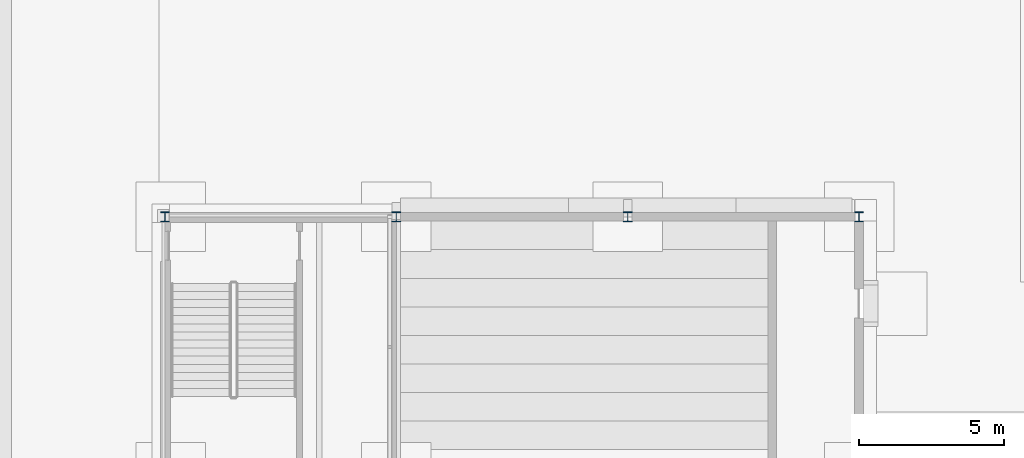
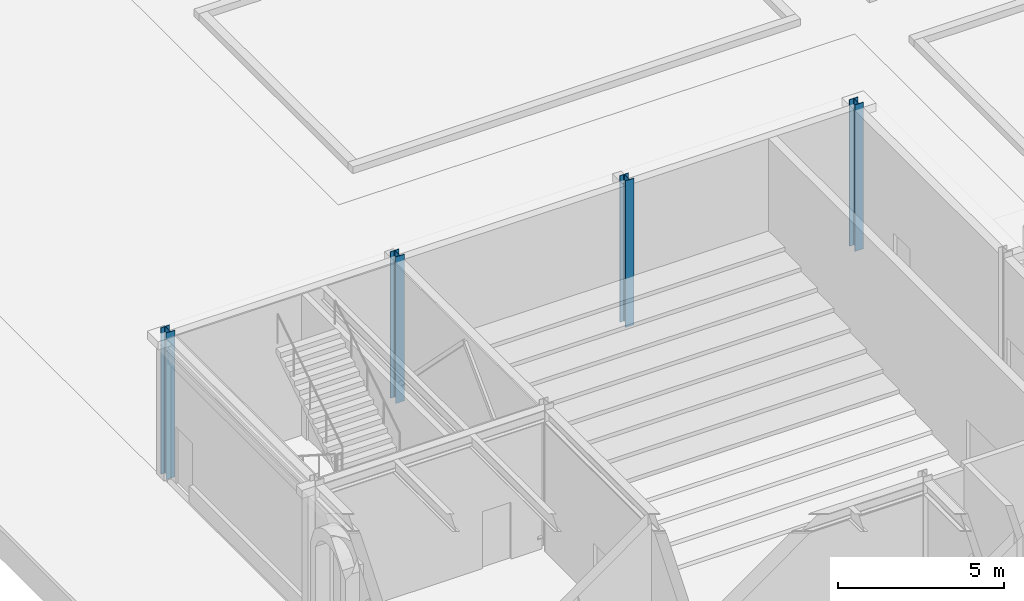
# One storey, part 7 of 126: 4 columns.
"""IFC4 building model written with IfcOpenShell, lengths in metres."""

from ifc_helpers import new_model, si_unit, direction, frame, origin, origin_2d, place, context, subcontext, project, spatial, i_section, extrude, material, material_profile, profile_set, type_object, element, save


model = new_model("IFC4")

# Units and contexts
model_context = context("Model", 3, precision=1e-05, world=origin(), true_north=direction((0.0, 1.0)))
body_context = subcontext(model_context, "Body", "Model", "MODEL_VIEW")
ifc_project = project(units=[si_unit("LENGTHUNIT", "METRE"), si_unit("AREAUNIT", "SQUARE_METRE"), si_unit("VOLUMEUNIT", "CUBIC_METRE"), si_unit("PLANEANGLEUNIT", "RADIAN"), si_unit("MASSUNIT", "GRAM", prefix="KILO")], contexts=[model_context])

# Site, building, storey
site_placement = place(None, origin())
site = spatial("IfcSite", under=ifc_project, at=site_placement, CompositionType="ELEMENT")
building_placement = place(site_placement, origin())
building = spatial("IfcBuilding", under=site, at=building_placement, Name="Kallimachos Central Library", CompositionType="ELEMENT")
storey_placement = place(building_placement, origin())
storey = spatial("IfcBuildingStorey", under=building, at=storey_placement, Name="L00", CompositionType="ELEMENT", Elevation=0.0)

# Columns
ifc_material = material(Name="Steel S355J2", Category="steel")
ifc_material_profile = material_profile(ifc_material, i_section(OverallWidth=0.300048828125, OverallDepth=0.340087890625, WebThickness=0.011962890625, FlangeThickness=0.021484375, FilletRadius=0.027099609375, at=origin_2d()), Name="HEB 340")
ifc_profile_set = profile_set([ifc_material_profile], Name="Steel S355J2")
column_type = type_object("IfcColumnType", Name="HEB 340 column", PredefinedType="COLUMN", material=ifc_profile_set)
for number, where, z_axis, x_axis, name in (
    (1, (6.0, 36.0, 0.0), (0.0, 0.0, 1.0), (1.0, 0.0, 0.0), "V6-COL-L00-004"),
    (2, (14.0, 36.0, 0.0), (0.0, 0.0, 1.0), (1.0, 0.0, 0.0), "V6-COL-L00-008"),
    (3, (22.0, 36.0, 0.0), (0.0, 0.0, 1.0), (1.0, 0.0, 0.0), "V6-COL-L00-013"),
    (4, (30.0, 36.0, 0.0), (0.0, 0.0, 1.0), (1.0, 0.0, 0.0), "V6-COL-L00-015"),
):
    element("IfcColumn", number, at=place(storey_placement, frame(where, z_axis=z_axis, x_axis=x_axis)), inside=storey, type_object=column_type, Name=name, PredefinedType="COLUMN", context=body_context, shape_type="SweptSolid", body=[
        extrude(i_section(OverallWidth=0.300048828125, OverallDepth=0.340087890625, WebThickness=0.011962890625, FlangeThickness=0.021484375, FilletRadius=0.027099609375, at=origin_2d()), origin(), (0.0, 0.0, 1.0), 5.39990234375),
    ])

save(model, "model.ifc")
